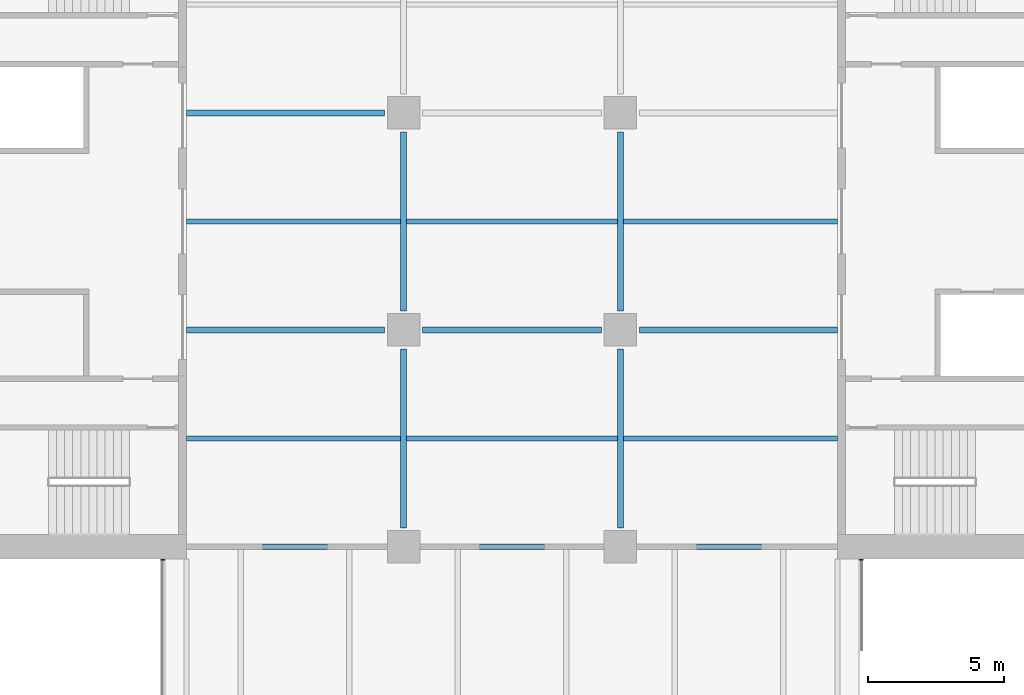
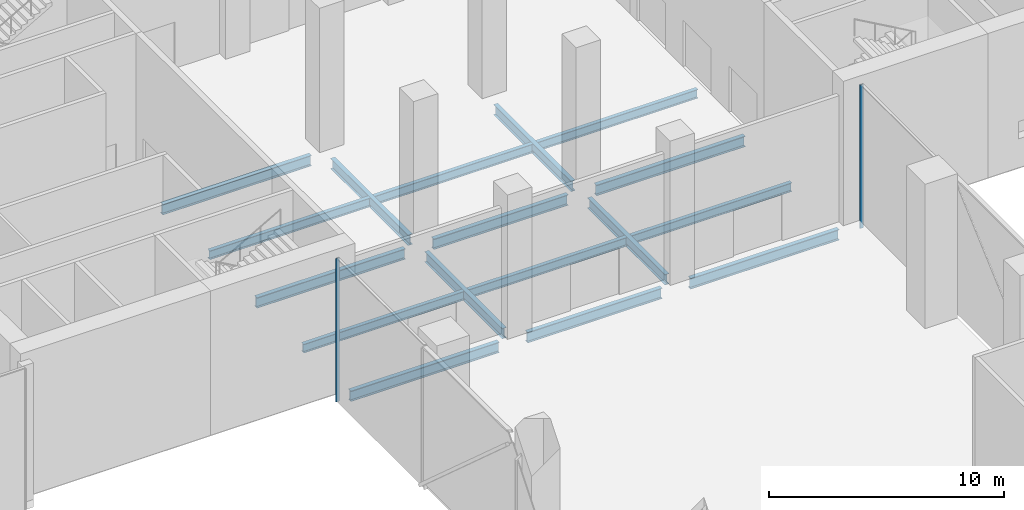
# One storey, part 5 of 25: 17 beams, 2 members, 2 elements without a shape of their own.
"""IFC4 building model written with IfcOpenShell, lengths in metres."""

import ifcopenshell
import ifcopenshell.guid

model = None  # the IFC model being written
_history = None  # IfcOwnerHistory: only IFC2X3 demands one
_inside = {}  # id of a spatial element -> (the spatial element, [elements in it])
_under = {}  # id of a project, library or spatial element -> (it, [spatial elements below it])
_declared = {}  # id of a project -> (the project, [libraries it declares])
_typed = {}  # id of a type object -> (the type object, [elements of that type])
_made_of = {}  # id of a material, layer set ... -> (it, [elements and type objects made of it])


def new_model(schema):
    """Start an empty IFC model of exactly this schema.

    Asked for "IFC4X3", IfcOpenShell would pick the latest addendum, in which some entities
    have other attributes; the version numbers below select the first issue.
    IFC2X3 requires an IfcOwnerHistory on every rooted entity: one is made here for all.
    """
    global model, _history
    if schema == "IFC4X3":
        model = ifcopenshell.file(schema_version=(4, 3, 0, 0))
    else:
        model = ifcopenshell.file(schema=schema)
    _inside.clear()
    _under.clear()
    _declared.clear()
    _typed.clear()
    _made_of.clear()
    _history = None
    if model.schema == "IFC2X3":
        org = make("IfcOrganization", Name="unknown")
        user = make(
            "IfcPersonAndOrganization",
            ThePerson=make("IfcPerson", FamilyName="unknown"),
            TheOrganization=org,
        )
        app = make(
            "IfcApplication",
            ApplicationDeveloper=org,
            Version="unknown",
            ApplicationFullName="unknown",
            ApplicationIdentifier="unknown",
        )
        _history = make(
            "IfcOwnerHistory",
            OwningUser=user,
            OwningApplication=app,
            ChangeAction="ADDED",
            CreationDate=0,
        )
    return model


def make(cls, **values):
    """One entity of the class cls with the attributes given. An attribute that is None is left unset."""
    return model.create_entity(
        cls, **{name: value for name, value in values.items() if value is not None}
    )


def rooted(cls, **values):
    """An entity with a GlobalId (a new one), such as an element, a storey or a relation."""
    return make(cls, GlobalId=ifcopenshell.guid.new(), OwnerHistory=_history, **values)


def si_unit(unit_type, name, prefix=None):
    """IfcSIUnit, for example si_unit("LENGTHUNIT", "METRE", prefix="MILLI")."""
    return make("IfcSIUnit", UnitType=unit_type, Prefix=prefix, Name=name)


def assignment(units):
    """IfcUnitAssignment: the units of a project."""
    return None if units is None else make("IfcUnitAssignment", Units=units)


def point(xyz):
    """IfcCartesianPoint."""
    return None if xyz is None else make("IfcCartesianPoint", Coordinates=xyz)


def direction(xyz):
    """IfcDirection."""
    return None if xyz is None else make("IfcDirection", DirectionRatios=xyz)


def frame(location, z_axis=None, x_axis=None):
    """IfcAxis2Placement3D, a coordinate frame: its origin and axes. An axis left out is left unset."""
    return make(
        "IfcAxis2Placement3D",
        Location=point(location),
        Axis=direction(z_axis),
        RefDirection=direction(x_axis),
    )


def frame_2d(location, x_axis=None):
    """IfcAxis2Placement2D, a coordinate frame in the plane: its origin and x axis."""
    return make(
        "IfcAxis2Placement2D", Location=point(location), RefDirection=direction(x_axis)
    )


def origin():
    """The frame at (0, 0, 0) with its axes left unset."""
    return frame((0.0, 0.0, 0.0))


def origin_2d():
    """The frame at (0, 0) in the plane with its x axis left unset."""
    return frame_2d((0.0, 0.0))


def place(relative_to, where):
    """IfcLocalPlacement: puts the frame where relative to a parent placement (None: the world)."""
    return make(
        "IfcLocalPlacement", PlacementRelTo=relative_to, RelativePlacement=where
    )


def context(
    kind, dimensions, precision=None, world=None, true_north=None, identifier=None
):
    """IfcGeometricRepresentationContext, for example the 3D "Model" context."""
    return make(
        "IfcGeometricRepresentationContext",
        ContextIdentifier=identifier,
        ContextType=kind,
        CoordinateSpaceDimension=dimensions,
        Precision=precision,
        WorldCoordinateSystem=world,
        TrueNorth=true_north,
    )


def subcontext(parent, identifier, kind, view, scale=None):
    """IfcGeometricRepresentationSubContext, for example "Body" below "Model"."""
    return make(
        "IfcGeometricRepresentationSubContext",
        ContextIdentifier=identifier,
        ContextType=kind,
        ParentContext=parent,
        TargetScale=scale,
        TargetView=view,
    )


def project(units=None, contexts=None):
    """IfcProject with its units and contexts."""
    return rooted(
        "IfcProject",
        Name="project",
        RepresentationContexts=contexts,
        UnitsInContext=assignment(units),
    )


def spatial(cls, under=None, at=None, **own):
    """A site, building, storey or space (cls), placed at a placement, below another one or the project."""
    s = rooted(cls, ObjectPlacement=at, **own)
    if under is not None:
        _under.setdefault(under.id(), (under, []))[1].append(s)
    return s


def profile(cls, at=None, kind="AREA", **sizes):
    """A parametric profile (cls). Its sizes go by their IFC names, for example OverallWidth=200.0."""
    return make(cls, ProfileType=kind, Position=at, **sizes)


def rectangle(**sizes):
    """IfcRectangleProfileDef."""
    return profile("IfcRectangleProfileDef", **sizes)


def i_section(**sizes):
    """IfcIShapeProfileDef."""
    return profile("IfcIShapeProfileDef", **sizes)


def extrude(swept, where, along, depth):
    """IfcExtrudedAreaSolid: the profile swept, set in the frame where, extruded along a direction by depth."""
    return make(
        "IfcExtrudedAreaSolid",
        SweptArea=swept,
        Position=where,
        ExtrudedDirection=direction(along),
        Depth=depth,
    )


def shape(context_of_items, identifier, shape_type, items):
    """IfcShapeRepresentation: the items that make up one representation, for example the "Body"."""
    return make(
        "IfcShapeRepresentation",
        ContextOfItems=context_of_items,
        RepresentationIdentifier=identifier,
        RepresentationType=shape_type,
        Items=items,
    )


def material(Name=None, Category=None):
    """IfcMaterial."""
    return make("IfcMaterial", Name=Name, Category=Category)


def material_profile(
    of_material, cross_section, Name=None, Category=None, Priority=None
):
    """IfcMaterialProfile: a cross section and its material."""
    return make(
        "IfcMaterialProfile",
        Name=Name,
        Material=of_material,
        Profile=cross_section,
        Priority=Priority,
        Category=Category,
    )


def profile_set(profiles, Name=None, composite=None):
    """IfcMaterialProfileSet."""
    return make(
        "IfcMaterialProfileSet",
        Name=Name,
        MaterialProfiles=profiles,
        CompositeProfile=composite,
    )


def made_of(thing, what):
    """Note that an element or type object is made of a material, layer set ...; save() writes the relation."""
    if what is not None:
        _made_of.setdefault(what.id(), (what, []))[1].append(thing)
    return thing


def type_object(cls, material=None, **own):
    """A type object (cls), such as IfcWallType, which elements share."""
    return made_of(rooted(cls, **own), material)


def element(
    cls,
    number,
    at=None,
    inside=None,
    cuts=None,
    type_object=None,
    material=None,
    context=None,
    identifier="Body",
    shape_type=None,
    held_by="IfcProductDefinitionShape",
    body=None,
    shapes=None,
    **own,
):
    """One element of the class cls, such as IfcWall. Its Tag is "e" and its number.

    at: its placement. inside: the storey or other place that contains it. cuts: it is an
    opening in that element (IfcRelVoidsElement). A single representation is given by context,
    identifier, shape_type and body (its items); several are given by shapes. held_by: the class
    of the entity that holds the representations. save() writes the other relations.
    """
    e = rooted(cls, Tag="e%d" % number, ObjectPlacement=at, **own)
    if body is not None:
        shapes = [shape(context, identifier, shape_type, body)]
    if shapes is not None:
        e.Representation = make(held_by, Representations=shapes)
    if inside is not None:
        _inside.setdefault(inside.id(), (inside, []))[1].append(e)
    if cuts is not None:
        rooted(
            "IfcRelVoidsElement", RelatingBuildingElement=cuts, RelatedOpeningElement=e
        )
    if type_object is not None:
        _typed.setdefault(type_object.id(), (type_object, []))[1].append(e)
    return made_of(e, material)


def aggregate(whole, parts):
    """IfcRelAggregates: a whole, such as a stair, and the parts it consists of."""
    return rooted("IfcRelAggregates", RelatingObject=whole, RelatedObjects=parts)


def save(model, path):
    """Write the relations noted so far, then the file.

    IfcRelAggregates (storeys below a building ...), IfcRelContainedInSpatialStructure (elements
    in a storey), IfcRelDefinesByType, IfcRelAssociatesMaterial and IfcRelDeclares: one each for
    every whole, place, type object, material and project.
    """
    for whole, parts in _under.values():
        aggregate(whole, parts)
    for where, things in _inside.values():
        rooted(
            "IfcRelContainedInSpatialStructure",
            RelatedElements=things,
            RelatingStructure=where,
        )
    for kind, things in _typed.values():
        rooted("IfcRelDefinesByType", RelatedObjects=things, RelatingType=kind)
    for what, things in _made_of.values():
        rooted("IfcRelAssociatesMaterial", RelatedObjects=things, RelatingMaterial=what)
    for by, libraries in _declared.values():
        rooted("IfcRelDeclares", RelatingContext=by, RelatedDefinitions=libraries)
    model.write(path)


model = new_model("IFC4")

# Units and contexts
model_context = context("Model", 3, precision=1e-05, world=origin(), true_north=direction((0.0, 1.0)))
body_context = subcontext(model_context, "Body", "Model", "MODEL_VIEW")
ifc_project = project(units=[si_unit("LENGTHUNIT", "METRE"), si_unit("AREAUNIT", "SQUARE_METRE"), si_unit("VOLUMEUNIT", "CUBIC_METRE"), si_unit("PLANEANGLEUNIT", "RADIAN"), si_unit("MASSUNIT", "GRAM", prefix="KILO")], contexts=[model_context])

# Site, building, storey
site_placement = place(None, origin())
site = spatial("IfcSite", under=ifc_project, at=site_placement, CompositionType="ELEMENT")
building_placement = place(site_placement, origin())
building = spatial("IfcBuilding", under=site, at=building_placement, Name="Crosswind Convention Tower", CompositionType="ELEMENT")
storey_placement = place(building_placement, frame((0.0, 0.0, 10.0)))
storey = spatial("IfcBuildingStorey", under=building, at=storey_placement, Name="L01", CompositionType="ELEMENT", Elevation=10.0)

# Beams
ifc_material_1 = material(Name="Steel S355", Category="steel")
ifc_material_profile_1 = material_profile(ifc_material_1, i_section(OverallWidth=0.2119140625, OverallDepth=0.544677734375, WebThickness=0.0126953125, FlangeThickness=0.021240234375, FilletRadius=0.0126953125, at=origin_2d()), Name="UB 533x210x122")
ifc_profile_set_1 = profile_set([ifc_material_profile_1], Name="Steel S355")
beam_type_1 = type_object("IfcBeamType", Name="Girder UB 533x210x122", PredefinedType="BEAM", material=ifc_profile_set_1)
for number, where, z_axis, x_axis, name in (
    (1, (121.0, 88.699951171875, -0.67236328125), (0.0, 1.0, 0.0), (-1.0, 0.0, 0.0), "B6 L01 girder 1"),
    (2, (121.0, 96.699951171875, -0.67236328125), (0.0, 1.0, 0.0), (-1.0, 0.0, 0.0), "B6 L01 girder 2"),
    (3, (121.699951171875, 88.0, -0.67236328125), (1.0, 0.0, 0.0), (0.0, 1.0, 0.0), "B6 L01 girder 4"),
    (4, (121.699951171875, 96.0, -0.67236328125), (1.0, 0.0, 0.0), (0.0, 1.0, 0.0), "B6 L01 girder 5"),
    (5, (129.0, 88.699951171875, -0.67236328125), (0.0, 1.0, 0.0), (-1.0, 0.0, 0.0), "B6 L01 girder 8"),
    (6, (129.0, 96.699951171875, -0.67236328125), (0.0, 1.0, 0.0), (-1.0, 0.0, 0.0), "B6 L01 girder 9"),
):
    element("IfcBeam", number, at=place(storey_placement, frame(where, z_axis=z_axis, x_axis=x_axis)), inside=storey, type_object=beam_type_1, Name=name, PredefinedType="BEAM", context=body_context, shape_type="SweptSolid", body=[
        extrude(i_section(OverallWidth=0.2119140625, OverallDepth=0.544677734375, WebThickness=0.0126953125, FlangeThickness=0.021240234375, FilletRadius=0.0126953125, at=origin_2d()), origin(), (0.0, 0.0, 1.0), 6.60009765625),
    ])
ifc_material_profile_2 = material_profile(ifc_material_1, i_section(OverallWidth=0.214111328125, OverallDepth=0.549072265625, WebThickness=0.0146484375, FlangeThickness=0.023681640625, FilletRadius=0.0126953125, at=origin_2d()), Name="UB 533x210x138")
ifc_profile_set_2 = profile_set([ifc_material_profile_2], Name="Steel S355")
beam_type_2 = type_object("IfcBeamType", Name="Girder at core wall UB 533x210x138", PredefinedType="BEAM", material=ifc_profile_set_2)
for number, where, z_axis, x_axis, name in (
    (7, (113.0, 88.0, -0.674560546875), (1.0, 0.0, 0.0), (0.0, 1.0, 0.0), "B27 L01 girder at core wall 1"),
    (8, (113.0, 96.0, -0.674560546875), (1.0, 0.0, 0.0), (0.0, 1.0, 0.0), "B27 L01 girder at core wall 2"),
    (9, (113.0, 104.0, -0.674560546875), (1.0, 0.0, 0.0), (0.0, 1.0, 0.0), "B27 L01 girder at core wall 3"),
    (10, (129.699951171875, 88.0, -0.674560546875), (1.0, 0.0, 0.0), (0.0, 1.0, 0.0), "B27 L01 girder at core wall 5"),
    (11, (129.699951171875, 96.0, -0.674560546875), (1.0, 0.0, 0.0), (0.0, 1.0, 0.0), "B27 L01 girder at core wall 6"),
):
    element("IfcBeam", number, at=place(storey_placement, frame(where, z_axis=z_axis, x_axis=x_axis)), inside=storey, type_object=beam_type_2, Name=name, PredefinedType="BEAM", context=body_context, shape_type="SweptSolid", body=[
        extrude(i_section(OverallWidth=0.214111328125, OverallDepth=0.549072265625, WebThickness=0.0146484375, FlangeThickness=0.023681640625, FilletRadius=0.0126953125, at=origin_2d()), origin(), (0.0, 0.0, 1.0), 7.300048828125),
    ])

# Curtain wall, member
ifc_material_2 = material(Name="Aluminium unitised curtain wall", Category="aluminium")
curtain_wall_type = type_object("IfcCurtainWallType", Name="CORE END SLOT WALL 160", PredefinedType="USERDEFINED", material=ifc_material_2)
curtain_wall_1_placement = place(storey_placement, origin())
curtain_wall_1 = element("IfcCurtainWall", 12, at=curtain_wall_1_placement, inside=storey, type_object=curtain_wall_type, Name="CW6 L01 S-W.1-1 slot", ObjectType="UNITISED", PredefinedType="USERDEFINED")
ifc_material_3 = material(Name="Aluminium mullion", Category="aluminium")
ifc_material_profile_3 = material_profile(ifc_material_3, rectangle(XDim=0.159912109375, YDim=0.050048828125, at=origin_2d()), Name="AL 160X50")
ifc_profile_set_3 = profile_set([ifc_material_profile_3], Name="Aluminium mullion")
member_type = type_object("IfcMemberType", Name="MULLION 50X160", PredefinedType="MULLION", material=ifc_profile_set_3)
member_1_placement = place(storey_placement, frame((112.1201171875, 87.52490234375, -0.39990234375), z_axis=(0.0, 0.0, 1.0), x_axis=(-1.0, 0.0, 0.0)))
member_1 = element("IfcMember", 13, at=member_1_placement, type_object=member_type, Name="CW6 mullion 1", PredefinedType="MULLION", context=body_context, shape_type="SweptSolid", body=[
    extrude(rectangle(XDim=0.159912109375, YDim=0.050048828125, at=origin_2d()), origin(), (0.0, 0.0, 1.0), 7.449951171875),
])
aggregate(curtain_wall_1, [member_1])

curtain_wall_2_placement = place(storey_placement, origin())
curtain_wall_2 = element("IfcCurtainWall", 14, at=curtain_wall_2_placement, inside=storey, type_object=curtain_wall_type, Name="CW6 L01 S-E.1-4 slot", ObjectType="UNITISED", PredefinedType="USERDEFINED")
member_2_placement = place(storey_placement, frame((137.8798828125, 87.52490234375, -0.39990234375), z_axis=(0.0, 0.0, 1.0), x_axis=(1.0, 0.0, 0.0)))
member_2 = element("IfcMember", 15, at=member_2_placement, type_object=member_type, Name="CW6 mullion 2", PredefinedType="MULLION", context=body_context, shape_type="SweptSolid", body=[
    extrude(rectangle(XDim=0.159912109375, YDim=0.050048828125, at=origin_2d()), origin(), (0.0, 0.0, 1.0), 7.449951171875),
])
aggregate(curtain_wall_2, [member_2])

# Beams
ifc_material_profile_4 = material_profile(ifc_material_1, i_section(OverallWidth=0.19140625, OverallDepth=0.460205078125, WebThickness=0.010009765625, FlangeThickness=0.01611328125, FilletRadius=0.01025390625, at=origin_2d()), Name="UB 457x191x82")
ifc_profile_set_4 = profile_set([ifc_material_profile_4], Name="Steel S355")
beam_type_3 = type_object("IfcBeamType", Name="Secondary beam UB 457x191x82", PredefinedType="JOIST", material=ifc_profile_set_4)
for number, where, z_axis, x_axis, name in (
    (16, (113.0, 92.0, -0.630126953125), (1.0, 0.0, 0.0), (0.0, 1.0, 0.0), "B13 L01 secondary beam 11"),
    (17, (113.0, 100.0, -0.630126953125), (1.0, 0.0, 0.0), (0.0, 1.0, 0.0), "B13 L01 secondary beam 12"),
):
    element("IfcBeam", number, at=place(storey_placement, frame(where, z_axis=z_axis, x_axis=x_axis)), inside=storey, type_object=beam_type_3, Name=name, PredefinedType="JOIST", context=body_context, shape_type="SweptSolid", body=[
        extrude(i_section(OverallWidth=0.19140625, OverallDepth=0.460205078125, WebThickness=0.010009765625, FlangeThickness=0.01611328125, FilletRadius=0.01025390625, at=origin_2d()), origin(), (0.0, 0.0, 1.0), 7.89404296875),
    ])
for number, where, z_axis, x_axis, name in (
    (18, (121.10595703125, 92.0, -0.630126953125), (1.0, 0.0, 0.0), (0.0, 1.0, 0.0), "B13 L01 secondary beam 28"),
    (19, (121.10595703125, 100.0, -0.630126953125), (1.0, 0.0, 0.0), (0.0, 1.0, 0.0), "B13 L01 secondary beam 29"),
):
    element("IfcBeam", number, at=place(storey_placement, frame(where, z_axis=z_axis, x_axis=x_axis)), inside=storey, type_object=beam_type_3, Name=name, PredefinedType="JOIST", context=body_context, shape_type="SweptSolid", body=[
        extrude(i_section(OverallWidth=0.19140625, OverallDepth=0.460205078125, WebThickness=0.010009765625, FlangeThickness=0.01611328125, FilletRadius=0.01025390625, at=origin_2d()), origin(), (0.0, 0.0, 1.0), 7.7880859375),
    ])
for number, where, z_axis, x_axis, name in (
    (20, (129.10595703125, 92.0, -0.630126953125), (1.0, 0.0, 0.0), (0.0, 1.0, 0.0), "B13 L01 secondary beam 47"),
    (21, (129.10595703125, 100.0, -0.630126953125), (1.0, 0.0, 0.0), (0.0, 1.0, 0.0), "B13 L01 secondary beam 48"),
):
    element("IfcBeam", number, at=place(storey_placement, frame(where, z_axis=z_axis, x_axis=x_axis)), inside=storey, type_object=beam_type_3, Name=name, PredefinedType="JOIST", context=body_context, shape_type="SweptSolid", body=[
        extrude(i_section(OverallWidth=0.19140625, OverallDepth=0.460205078125, WebThickness=0.010009765625, FlangeThickness=0.01611328125, FilletRadius=0.01025390625, at=origin_2d()), origin(), (0.0, 0.0, 1.0), 7.89404296875),
    ])

save(model, "model.ifc")
